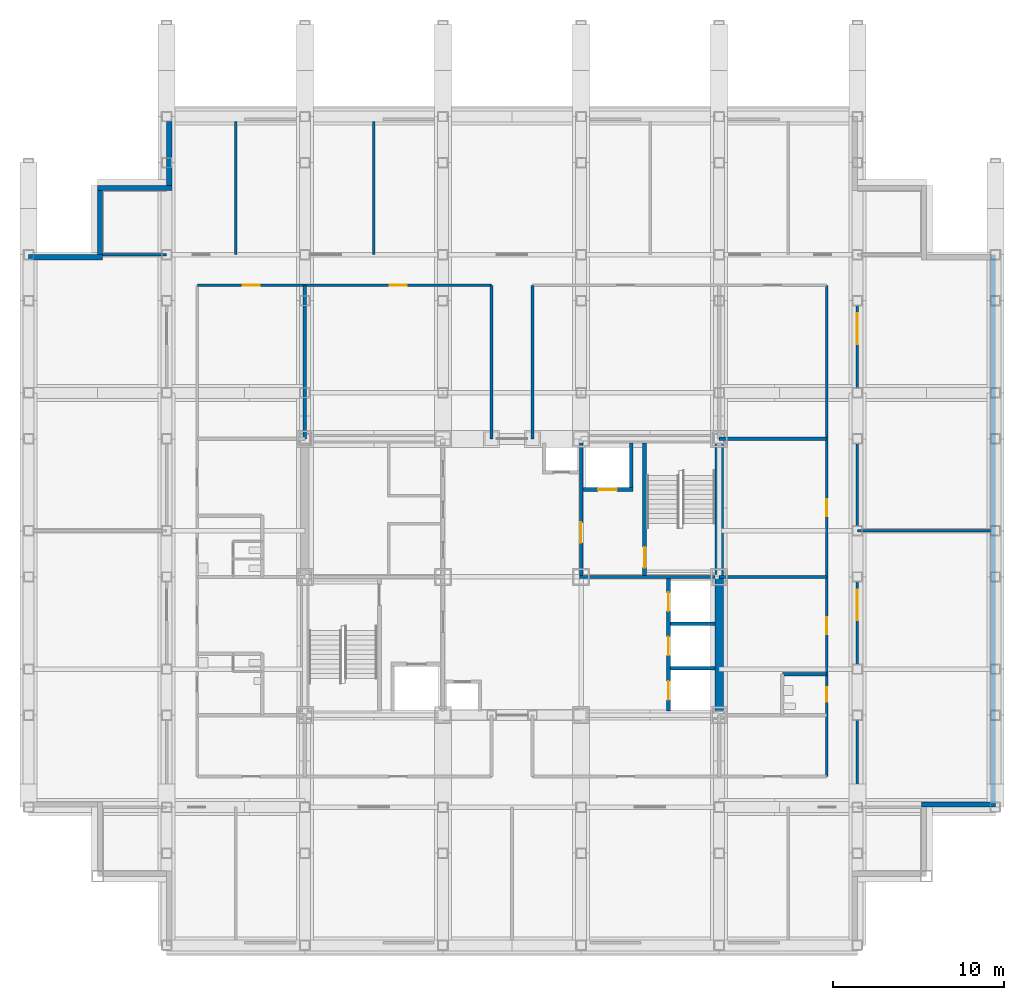
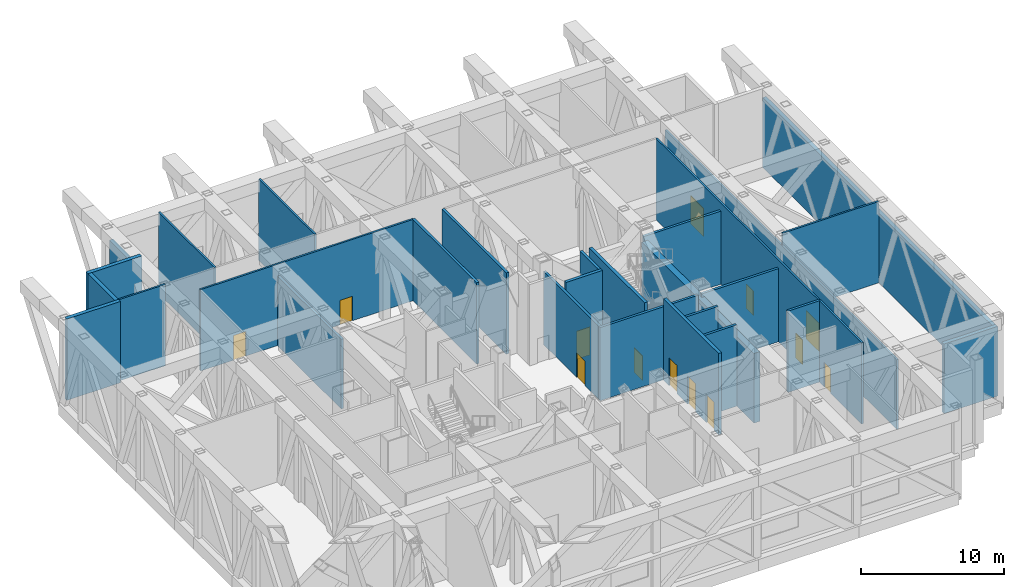
# One storey, part 9 of 13: 28 walls, 13 doors, 13 openings.
"""IFC4 building model written with IfcOpenShell, lengths in metres."""

from ifc_helpers import new_model, si_unit, direction, frame, frame_2d, origin, place, context, subcontext, project, spatial, rectangle, extrude, material, layer, layer_set, type_object, element, fill, save


model = new_model("IFC4")

# Units and contexts
model_context = context("Model", 3, precision=1e-05, world=origin(), true_north=direction((0.0, 1.0)))
body_context = subcontext(model_context, "Body", "Model", "MODEL_VIEW")
ifc_project = project(units=[si_unit("LENGTHUNIT", "METRE"), si_unit("AREAUNIT", "SQUARE_METRE"), si_unit("VOLUMEUNIT", "CUBIC_METRE"), si_unit("PLANEANGLEUNIT", "RADIAN"), si_unit("MASSUNIT", "GRAM", prefix="KILO")], contexts=[model_context])

# Site, building, storey
site_placement = place(None, origin())
site = spatial("IfcSite", under=ifc_project, at=site_placement, CompositionType="ELEMENT")
building_placement = place(site_placement, origin())
building = spatial("IfcBuilding", under=site, at=building_placement, Name="Kopane Lantern Tower", CompositionType="ELEMENT")
storey_placement = place(building_placement, frame((0.0, 0.0, 235.199951171875)))
storey = spatial("IfcBuildingStorey", under=building, at=storey_placement, Name="L61", CompositionType="ELEMENT", Elevation=235.199951171875)

# Wall
ifc_material_1 = material(Name="Gypsum shaft wall EI 120", Category="gypsum")
ifc_layer_1 = layer(ifc_material_1, 0.5)
ifc_layer_set_1 = layer_set([ifc_layer_1], Name="CORE PERIMETER WALL 500 EI 120")
wall_type_1 = type_object("IfcWallType", Name="CORE PERIMETER WALL 500 EI 120", PredefinedType="SOLIDWALL", material=ifc_layer_set_1)
wall_1_placement = place(storey_placement, frame((40.5, 24.550048828125, 0.0), z_axis=(0.0, 0.0, 1.0), x_axis=(0.0, 1.0, 0.0)))
element("IfcWall", 1, at=wall_1_placement, inside=storey, type_object=wall_type_1, Name="Core shaft wall L61 PE", PredefinedType="SOLIDWALL", context=body_context, shape_type="SweptSolid", body=[
    extrude(rectangle(XDim=15.699951171875, YDim=0.5, at=frame_2d((7.85009765625, 0.0))), origin(), (0.0, 0.0, 1.0), 5.949951171875),
])

# Wall, openings, doors
ifc_material_2 = material(Name="Gypsum shaft wall EI 120", Category="gypsum")
ifc_layer_2 = layer(ifc_material_2, 0.25)
ifc_layer_set_2 = layer_set([ifc_layer_2], Name="CORE SHAFT WALL 250 EI 120")
wall_type_2 = type_object("IfcWallType", Name="CORE SHAFT WALL 250 EI 120", PredefinedType="SOLIDWALL", material=ifc_layer_set_2)
wall_2_placement = place(storey_placement, frame((37.52490234375, 24.550048828125, 0.0), z_axis=(0.0, 0.0, 1.0), x_axis=(0.0, 1.0, 0.0)))
wall_2 = element("IfcWall", 2, at=wall_2_placement, inside=storey, type_object=wall_type_2, Name="Core shaft wall L61 XLR", PredefinedType="SOLIDWALL", context=body_context, shape_type="SweptSolid", body=[
    extrude(rectangle(XDim=7.75, YDim=0.25, at=frame_2d((3.875, 0.0))), origin(), (0.0, 0.0, 1.0), 6.949951171875),
])
opening_1_placement = place(wall_2_placement, frame((0.64990234375, 0.0, 0.0)))
opening_1 = element("IfcOpeningElement", 3, at=opening_1_placement, cuts=wall_2, Name="Opening 61.LD-LR1", PredefinedType="OPENING", context=body_context, shape_type="SweptSolid", body=[
    extrude(rectangle(XDim=1.10009765625, YDim=2.39990234375, at=frame_2d((0.550048828125, 1.199951171875))), frame((0.0, 0.135009765625, 0.0), z_axis=(0.0, -1.0, 0.0), x_axis=(1.0, 0.0, 0.0)), (0.0, 0.0, 1.0), 0.27001953125),
])
opening_2_placement = place(wall_2_placement, frame((3.25, 0.0, 0.0)))
opening_2 = element("IfcOpeningElement", 4, at=opening_2_placement, cuts=wall_2, Name="Opening 61.LD-LR2", PredefinedType="OPENING", context=body_context, shape_type="SweptSolid", body=[
    extrude(rectangle(XDim=1.10009765625, YDim=2.39990234375, at=frame_2d((0.550048828125, 1.199951171875))), frame((0.0, 0.135009765625, 0.0), z_axis=(0.0, -1.0, 0.0), x_axis=(1.0, 0.0, 0.0)), (0.0, 0.0, 1.0), 0.27001953125),
])
opening_3_placement = place(wall_2_placement, frame((5.85009765625, 0.0, 0.0)))
opening_3 = element("IfcOpeningElement", 5, at=opening_3_placement, cuts=wall_2, Name="Opening 61.LD-LR3", PredefinedType="OPENING", context=body_context, shape_type="SweptSolid", body=[
    extrude(rectangle(XDim=1.10009765625, YDim=2.39990234375, at=frame_2d((0.550048828125, 1.199951171875))), frame((0.0, 0.135009765625, 0.0), z_axis=(0.0, -1.0, 0.0), x_axis=(1.0, 0.0, 0.0)), (0.0, 0.0, 1.0), 0.27001953125),
])
ifc_material_3 = material(Name="Steel door set", Category="steel")
door_type_1 = type_object("IfcDoorType", Name="LIFT LANDING DOOR 1100x2400 FD60", OperationType="DOUBLE_DOOR_SLIDING", PredefinedType="DOOR", material=ifc_material_3)
door_1_placement = place(opening_1_placement, origin())
door_1 = element("IfcDoor", 6, at=door_1_placement, inside=storey, type_object=door_type_1, Name="Landing door LR1 L61", OperationType="DOUBLE_DOOR_SLIDING", OverallHeight=2.39990234375, OverallWidth=1.10009765625, PredefinedType="DOOR", context=body_context, shape_type="SweptSolid", body=[
    extrude(rectangle(XDim=1.10009765625, YDim=2.39990234375, at=frame_2d((0.550048828125, 1.199951171875))), frame((0.0, 0.02490234375, 0.0), z_axis=(0.0, -1.0, 0.0), x_axis=(1.0, 0.0, 0.0)), (0.0, 0.0, 1.0), 0.050048828125),
])
fill(opening_1, door_1)
door_2_placement = place(opening_2_placement, origin())
door_2 = element("IfcDoor", 7, at=door_2_placement, inside=storey, type_object=door_type_1, Name="Landing door LR2 L61", OperationType="DOUBLE_DOOR_SLIDING", OverallHeight=2.39990234375, OverallWidth=1.10009765625, PredefinedType="DOOR", context=body_context, shape_type="SweptSolid", body=[
    extrude(rectangle(XDim=1.10009765625, YDim=2.39990234375, at=frame_2d((0.550048828125, 1.199951171875))), frame((0.0, 0.02490234375, 0.0), z_axis=(0.0, -1.0, 0.0), x_axis=(1.0, 0.0, 0.0)), (0.0, 0.0, 1.0), 0.050048828125),
])
fill(opening_2, door_2)
door_3_placement = place(opening_3_placement, origin())
door_3 = element("IfcDoor", 8, at=door_3_placement, inside=storey, type_object=door_type_1, Name="Landing door LR3 L61", OperationType="DOUBLE_DOOR_SLIDING", OverallHeight=2.39990234375, OverallWidth=1.10009765625, PredefinedType="DOOR", context=body_context, shape_type="SweptSolid", body=[
    extrude(rectangle(XDim=1.10009765625, YDim=2.39990234375, at=frame_2d((0.550048828125, 1.199951171875))), frame((0.0, 0.02490234375, 0.0), z_axis=(0.0, -1.0, 0.0), x_axis=(1.0, 0.0, 0.0)), (0.0, 0.0, 1.0), 0.050048828125),
])
fill(opening_3, door_3)

# Wall, opening, door
wall_3_placement = place(storey_placement, frame((36.125, 32.5, 0.0), z_axis=(0.0, 0.0, 1.0), x_axis=(0.0, 1.0, 0.0)))
wall_3 = element("IfcWall", 9, at=wall_3_placement, inside=storey, type_object=wall_type_2, Name="Core shaft wall L61 XST2", PredefinedType="SOLIDWALL", context=body_context, shape_type="SweptSolid", body=[
    extrude(rectangle(XDim=7.75, YDim=0.25, at=frame_2d((3.875, 0.0))), origin(), (0.0, 0.0, 1.0), 6.949951171875),
])
opening_4_placement = place(wall_3_placement, frame((0.449951171875, 0.0, 0.0)))
opening_4 = element("IfcOpeningElement", 10, at=opening_4_placement, cuts=wall_3, Name="Opening 61.SD2", PredefinedType="OPENING", context=body_context, shape_type="SweptSolid", body=[
    extrude(rectangle(XDim=1.199951171875, YDim=2.10009765625, at=frame_2d((0.60009765625, 1.050048828125))), frame((0.0, 0.135009765625, 0.0), z_axis=(0.0, -1.0, 0.0), x_axis=(1.0, 0.0, 0.0)), (0.0, 0.0, 1.0), 0.27001953125),
])
ifc_material_4 = material(Name="Steel door set", Category="steel")
door_type_2 = type_object("IfcDoorType", Name="STAIR DOOR 1200x2100 FD60S", OperationType="SINGLE_SWING_LEFT", PredefinedType="DOOR", material=ifc_material_4)
door_4_placement = place(opening_4_placement, origin())
door_4 = element("IfcDoor", 11, at=door_4_placement, inside=storey, type_object=door_type_2, Name="Stair door ST2 L61", OperationType="SINGLE_SWING_RIGHT", OverallHeight=2.10009765625, OverallWidth=1.199951171875, PredefinedType="DOOR", context=body_context, shape_type="SweptSolid", body=[
    extrude(rectangle(XDim=1.199951171875, YDim=2.10009765625, at=frame_2d((0.60009765625, 1.050048828125))), frame((0.0, 0.02490234375, 0.0), z_axis=(0.0, -1.0, 0.0), x_axis=(1.0, 0.0, 0.0)), (0.0, 0.0, 1.0), 0.050048828125),
])
fill(opening_4, door_4)

wall_4_placement = place(storey_placement, frame((32.5, 37.52490234375, 0.0), z_axis=(0.0, 0.0, 1.0), x_axis=(1.0, 0.0, 0.0)))
wall_4 = element("IfcWall", 12, at=wall_4_placement, inside=storey, type_object=wall_type_2, Name="Core shaft wall L61 YLF2", PredefinedType="SOLIDWALL", context=body_context, shape_type="SweptSolid", body=[
    extrude(rectangle(XDim=2.949951171875, YDim=0.25, at=frame_2d((1.47509765625, 0.0))), origin(), (0.0, 0.0, 1.0), 6.949951171875),
])
opening_5_placement = place(wall_4_placement, frame((0.89990234375, 0.0, 0.0)))
opening_5 = element("IfcOpeningElement", 13, at=opening_5_placement, cuts=wall_4, Name="Opening 61.LD-LF2", PredefinedType="OPENING", context=body_context, shape_type="SweptSolid", body=[
    extrude(rectangle(XDim=1.10009765625, YDim=2.39990234375, at=frame_2d((0.550048828125, 1.199951171875))), frame((0.0, 0.135009765625, 0.0), z_axis=(0.0, -1.0, 0.0), x_axis=(1.0, 0.0, 0.0)), (0.0, 0.0, 1.0), 0.27001953125),
])
door_5_placement = place(opening_5_placement, origin())
door_5 = element("IfcDoor", 14, at=door_5_placement, inside=storey, type_object=door_type_1, Name="Landing door LF2 L61", OperationType="DOUBLE_DOOR_SLIDING", OverallHeight=2.39990234375, OverallWidth=1.10009765625, PredefinedType="DOOR", context=body_context, shape_type="SweptSolid", body=[
    extrude(rectangle(XDim=1.10009765625, YDim=2.39990234375, at=frame_2d((0.550048828125, 1.199951171875))), frame((0.0, 0.02490234375, 0.0), z_axis=(0.0, -1.0, 0.0), x_axis=(1.0, 0.0, 0.0)), (0.0, 0.0, 1.0), 0.050048828125),
])
fill(opening_5, door_5)

# Wall, openings, doors
ifc_material_5 = material(Name="Gypsum board on steel studs", Category="steel")
ifc_layer_3 = layer(ifc_material_5, 0.14990234375)
ifc_layer_set_3 = layer_set([ifc_layer_3], Name="CORRIDOR WALL 150 EI 60")
wall_type_3 = type_object("IfcWallType", Name="CORRIDOR WALL 150 EI 60", PredefinedType="PARTITIONING", material=ifc_layer_set_3)
wall_5_placement = place(storey_placement, frame((48.60009765625, 18.89990234375, 0.0), z_axis=(0.0, 0.0, 1.0), x_axis=(0.0, 1.0, 0.0)))
wall_5 = element("IfcWall", 15, at=wall_5_placement, inside=storey, type_object=wall_type_3, Name="Corridor Wall 150 Ei 60 L61", PredefinedType="PARTITIONING", context=body_context, shape_type="SweptSolid", body=[
    extrude(rectangle(XDim=32.400146484375, YDim=0.14990234375, at=frame_2d((16.2001953125, 0.0))), origin(), (0.0, 0.0, 1.0), 5.949951171875),
])
opening_6_placement = place(wall_5_placement, frame((10.949951171875, 0.0, 0.0)))
opening_6 = element("IfcOpeningElement", 16, at=opening_6_placement, cuts=wall_5, Name="Opening L61-023", PredefinedType="OPENING", context=body_context, shape_type="SweptSolid", body=[
    extrude(rectangle(XDim=1.800048828125, YDim=2.39990234375, at=frame_2d((0.89990234375, 1.199951171875))), frame((0.0, 0.0849609375, 0.0), z_axis=(0.0, -1.0, 0.0), x_axis=(1.0, 0.0, 0.0)), (0.0, 0.0, 1.0), 0.169921875),
])
opening_7_placement = place(wall_5_placement, frame((27.14990234375, 0.0, 0.0)))
opening_7 = element("IfcOpeningElement", 17, at=opening_7_placement, cuts=wall_5, Name="Opening L61-024", PredefinedType="OPENING", context=body_context, shape_type="SweptSolid", body=[
    extrude(rectangle(XDim=1.800048828125, YDim=2.39990234375, at=frame_2d((0.89990234375, 1.199951171875))), frame((0.0, 0.0849609375, 0.0), z_axis=(0.0, -1.0, 0.0), x_axis=(1.0, 0.0, 0.0)), (0.0, 0.0, 1.0), 0.169921875),
])
ifc_material_6 = material(Name="Steel door set", Category="steel")
door_type_3 = type_object("IfcDoorType", Name="DOOR D8 1800x2400 FD120", OperationType="SINGLE_SWING_LEFT", PredefinedType="DOOR", material=ifc_material_6)
door_6_placement = place(opening_6_placement, origin())
door_6 = element("IfcDoor", 18, at=door_6_placement, inside=storey, type_object=door_type_3, Name="Door L61-023", OperationType="DOUBLE_DOOR_SINGLE_SWING", OverallHeight=2.39990234375, OverallWidth=1.800048828125, PredefinedType="DOOR", context=body_context, shape_type="SweptSolid", body=[
    extrude(rectangle(XDim=1.800048828125, YDim=2.39990234375, at=frame_2d((0.89990234375, 1.199951171875))), frame((0.0, 0.02490234375, 0.0), z_axis=(0.0, -1.0, 0.0), x_axis=(1.0, 0.0, 0.0)), (0.0, 0.0, 1.0), 0.050048828125),
])
fill(opening_6, door_6)
door_7_placement = place(opening_7_placement, origin())
door_7 = element("IfcDoor", 19, at=door_7_placement, inside=storey, type_object=door_type_3, Name="Door L61-024", OperationType="DOUBLE_DOOR_SINGLE_SWING", OverallHeight=2.39990234375, OverallWidth=1.800048828125, PredefinedType="DOOR", context=body_context, shape_type="SweptSolid", body=[
    extrude(rectangle(XDim=1.800048828125, YDim=2.39990234375, at=frame_2d((0.89990234375, 1.199951171875))), frame((0.0, 0.02490234375, 0.0), z_axis=(0.0, -1.0, 0.0), x_axis=(1.0, 0.0, 0.0)), (0.0, 0.0, 1.0), 0.050048828125),
])
fill(opening_7, door_7)

wall_6_placement = place(storey_placement, frame((46.800048828125, 20.699951171875, 0.0), z_axis=(0.0, 0.0, 1.0), x_axis=(0.0, 1.0, 0.0)))
wall_6 = element("IfcWall", 20, at=wall_6_placement, inside=storey, type_object=wall_type_3, Name="Corridor Wall 150 Ei 60 L61", PredefinedType="PARTITIONING", context=body_context, shape_type="SweptSolid", body=[
    extrude(rectangle(XDim=28.800048828125, YDim=0.14990234375, at=frame_2d((14.39990234375, 0.0))), origin(), (0.0, 0.0, 1.0), 6.949951171875),
])
opening_8_placement = place(wall_6_placement, frame((4.375, 0.0, 0.0)))
opening_8 = element("IfcOpeningElement", 21, at=opening_8_placement, cuts=wall_6, Name="Opening L61-005", PredefinedType="OPENING", context=body_context, shape_type="SweptSolid", body=[
    extrude(rectangle(XDim=0.85009765625, YDim=2.10009765625, at=frame_2d((0.425048828125, 1.050048828125))), frame((0.0, 0.0849609375, 0.0), z_axis=(0.0, -1.0, 0.0), x_axis=(1.0, 0.0, 0.0)), (0.0, 0.0, 1.0), 0.169921875),
])
opening_9_placement = place(wall_6_placement, frame((8.35009765625, 0.0, 0.0)))
opening_9 = element("IfcOpeningElement", 22, at=opening_9_placement, cuts=wall_6, Name="Opening L61-006", PredefinedType="OPENING", context=body_context, shape_type="SweptSolid", body=[
    extrude(rectangle(XDim=1.0, YDim=2.10009765625, at=frame_2d((0.5, 1.050048828125))), frame((0.0, 0.0849609375, 0.0), z_axis=(0.0, -1.0, 0.0), x_axis=(1.0, 0.0, 0.0)), (0.0, 0.0, 1.0), 0.169921875),
])
opening_10_placement = place(wall_6_placement, frame((15.25, 0.0, 0.0)))
opening_10 = element("IfcOpeningElement", 23, at=opening_10_placement, cuts=wall_6, Name="Opening L61-007", PredefinedType="OPENING", context=body_context, shape_type="SweptSolid", body=[
    extrude(rectangle(XDim=1.0, YDim=2.10009765625, at=frame_2d((0.5, 1.050048828125))), frame((0.0, 0.0849609375, 0.0), z_axis=(0.0, -1.0, 0.0), x_axis=(1.0, 0.0, 0.0)), (0.0, 0.0, 1.0), 0.169921875),
])
ifc_material_7 = material(Name="Timber door set", Category="wood")
door_type_4 = type_object("IfcDoorType", Name="DOOR D4 850x2100", OperationType="SINGLE_SWING_LEFT", PredefinedType="DOOR", material=ifc_material_7)
door_8_placement = place(opening_8_placement, origin())
door_8 = element("IfcDoor", 24, at=door_8_placement, inside=storey, type_object=door_type_4, Name="Door L61-005", OperationType="SINGLE_SWING_LEFT", OverallHeight=2.10009765625, OverallWidth=0.85009765625, PredefinedType="DOOR", context=body_context, shape_type="SweptSolid", body=[
    extrude(rectangle(XDim=0.85009765625, YDim=2.10009765625, at=frame_2d((0.425048828125, 1.050048828125))), frame((0.0, 0.02490234375, 0.0), z_axis=(0.0, -1.0, 0.0), x_axis=(1.0, 0.0, 0.0)), (0.0, 0.0, 1.0), 0.050048828125),
])
fill(opening_8, door_8)
ifc_material_8 = material(Name="Steel door set", Category="steel")
door_type_5 = type_object("IfcDoorType", Name="DOOR D5 1000x2100 FD60", OperationType="SINGLE_SWING_LEFT", PredefinedType="DOOR", material=ifc_material_8)
door_9_placement = place(opening_9_placement, origin())
door_9 = element("IfcDoor", 25, at=door_9_placement, inside=storey, type_object=door_type_5, Name="Door L61-006", OperationType="SINGLE_SWING_RIGHT", OverallHeight=2.10009765625, OverallWidth=1.0, PredefinedType="DOOR", context=body_context, shape_type="SweptSolid", body=[
    extrude(rectangle(XDim=1.0, YDim=2.10009765625, at=frame_2d((0.5, 1.050048828125))), frame((0.0, 0.02490234375, 0.0), z_axis=(0.0, -1.0, 0.0), x_axis=(1.0, 0.0, 0.0)), (0.0, 0.0, 1.0), 0.050048828125),
])
fill(opening_9, door_9)
door_10_placement = place(opening_10_placement, origin())
door_10 = element("IfcDoor", 26, at=door_10_placement, inside=storey, type_object=door_type_5, Name="Door L61-007", OperationType="SINGLE_SWING_LEFT", OverallHeight=2.10009765625, OverallWidth=1.0, PredefinedType="DOOR", context=body_context, shape_type="SweptSolid", body=[
    extrude(rectangle(XDim=1.0, YDim=2.10009765625, at=frame_2d((0.5, 1.050048828125))), frame((0.0, 0.02490234375, 0.0), z_axis=(0.0, -1.0, 0.0), x_axis=(1.0, 0.0, 0.0)), (0.0, 0.0, 1.0), 0.050048828125),
])
fill(opening_10, door_10)

wall_7_placement = place(storey_placement, frame((27.139892578125, 49.5, 0.0), z_axis=(0.0, 0.0, 1.0), x_axis=(-1.0, 0.0, 0.0)))
wall_7 = element("IfcWall", 27, at=wall_7_placement, inside=storey, type_object=wall_type_3, Name="Corridor Wall 150 Ei 60 L61", PredefinedType="PARTITIONING", context=body_context, shape_type="SweptSolid", body=[
    extrude(rectangle(XDim=17.239990234375, YDim=0.14990234375, at=frame_2d((8.6201171875, 0.0))), origin(), (0.0, 0.0, 1.0), 6.949951171875),
])
opening_11_placement = place(wall_7_placement, frame((13.590087890625, 0.0, 0.0)))
opening_11 = element("IfcOpeningElement", 28, at=opening_11_placement, cuts=wall_7, Name="Opening L61-012", PredefinedType="OPENING", context=body_context, shape_type="SweptSolid", body=[
    extrude(rectangle(XDim=1.0, YDim=2.10009765625, at=frame_2d((0.5, 1.050048828125))), frame((0.0, 0.0849609375, 0.0), z_axis=(0.0, -1.0, 0.0), x_axis=(1.0, 0.0, 0.0)), (0.0, 0.0, 1.0), 0.169921875),
])
opening_12_placement = place(wall_7_placement, frame((4.965087890625, 0.0, 0.0)))
opening_12 = element("IfcOpeningElement", 29, at=opening_12_placement, cuts=wall_7, Name="Opening L61-013", PredefinedType="OPENING", context=body_context, shape_type="SweptSolid", body=[
    extrude(rectangle(XDim=1.0, YDim=2.10009765625, at=frame_2d((0.5, 1.050048828125))), frame((0.0, 0.0849609375, 0.0), z_axis=(0.0, -1.0, 0.0), x_axis=(1.0, 0.0, 0.0)), (0.0, 0.0, 1.0), 0.169921875),
])
door_11_placement = place(opening_11_placement, origin())
door_11 = element("IfcDoor", 30, at=door_11_placement, inside=storey, type_object=door_type_5, Name="Door L61-012", OperationType="SINGLE_SWING_RIGHT", OverallHeight=2.10009765625, OverallWidth=1.0, PredefinedType="DOOR", context=body_context, shape_type="SweptSolid", body=[
    extrude(rectangle(XDim=1.0, YDim=2.10009765625, at=frame_2d((0.5, 1.050048828125))), frame((0.0, 0.02490234375, 0.0), z_axis=(0.0, -1.0, 0.0), x_axis=(1.0, 0.0, 0.0)), (0.0, 0.0, 1.0), 0.050048828125),
])
fill(opening_11, door_11)
door_12_placement = place(opening_12_placement, origin())
door_12 = element("IfcDoor", 31, at=door_12_placement, inside=storey, type_object=door_type_5, Name="Door L61-013", OperationType="SINGLE_SWING_LEFT", OverallHeight=2.10009765625, OverallWidth=1.0, PredefinedType="DOOR", context=body_context, shape_type="SweptSolid", body=[
    extrude(rectangle(XDim=1.0, YDim=2.10009765625, at=frame_2d((0.5, 1.050048828125))), frame((0.0, 0.02490234375, 0.0), z_axis=(0.0, -1.0, 0.0), x_axis=(1.0, 0.0, 0.0)), (0.0, 0.0, 1.0), 0.050048828125),
])
fill(opening_12, door_12)

# Walls
ifc_material_9 = material(Name="Gypsum board on steel studs", Category="steel")
ifc_layer_4 = layer(ifc_material_9, 0.14990234375)
ifc_layer_set_4 = layer_set([ifc_layer_4], Name="DEMISING WALL 150 EI 60")
wall_type_4 = type_object("IfcWallType", Name="DEMISING WALL 150 EI 60", PredefinedType="PARTITIONING", material=ifc_layer_set_4)
wall_8_placement = place(storey_placement, frame((20.25, 51.300048828125, 0.0), z_axis=(0.0, 0.0, 1.0), x_axis=(0.0, 1.0, 0.0)))
element("IfcWall", 32, at=wall_8_placement, inside=storey, type_object=wall_type_4, Name="Demising Wall 150 Ei 60 L61", PredefinedType="PARTITIONING", context=body_context, shape_type="SweptSolid", body=[
    extrude(rectangle(XDim=7.800048828125, YDim=0.14990234375, at=frame_2d((3.89990234375, 0.0))), origin(), (0.0, 0.0, 1.0), 6.949951171875),
])
wall_9_placement = place(storey_placement, frame((48.60009765625, 35.10009765625, 0.0), z_axis=(0.0, 0.0, 1.0), x_axis=(1.0, 0.0, 0.0)))
element("IfcWall", 33, at=wall_9_placement, inside=storey, type_object=wall_type_4, Name="Demising Wall 150 Ei 60 L61", PredefinedType="PARTITIONING", context=body_context, shape_type="SweptSolid", body=[
    extrude(rectangle(XDim=7.7998046875, YDim=0.14990234375, at=frame_2d((3.89990234375, 0.0))), origin(), (0.0, 0.0, 1.0), 6.949951171875),
])
wall_10_placement = place(storey_placement, frame((4.35009765625, 51.300048828125, 0.0), z_axis=(0.0, 0.0, 1.0), x_axis=(1.0, 0.0, 0.0)))
element("IfcWall", 34, at=wall_10_placement, inside=storey, type_object=wall_type_4, Name="Demising Wall 150 Ei 60 L61", PredefinedType="PARTITIONING", context=body_context, shape_type="SweptSolid", body=[
    extrude(rectangle(XDim=3.75, YDim=0.14990234375, at=frame_2d((1.875, 0.0))), origin(), (0.0, 0.0, 1.0), 6.949951171875),
])
wall_11_placement = place(storey_placement, frame((12.14990234375, 51.300048828125, 0.0), z_axis=(0.0, 0.0, 1.0), x_axis=(0.0, 1.0, 0.0)))
element("IfcWall", 35, at=wall_11_placement, inside=storey, type_object=wall_type_4, Name="Demising Wall 150 Ei 60 L61", PredefinedType="PARTITIONING", context=body_context, shape_type="SweptSolid", body=[
    extrude(rectangle(XDim=7.800048828125, YDim=0.14990234375, at=frame_2d((3.89990234375, 0.0))), origin(), (0.0, 0.0, 1.0), 6.949951171875),
])
ifc_material_10 = material(Name="Terracotta rainscreen on light steel framing", Category="masonry")
ifc_layer_5 = layer(ifc_material_10, 0.300048828125)
ifc_layer_set_5 = layer_set([ifc_layer_5], Name="EXTERNAL WALL EW1 300 TERRACOTTA")
wall_type_5 = type_object("IfcWallType", Name="EXTERNAL WALL EW1 300 TERRACOTTA", PredefinedType="SOLIDWALL", material=ifc_layer_set_5)
wall_12_placement = place(storey_placement, frame((52.35009765625, 19.050048828125, 0.0), z_axis=(0.0, 0.0, 1.0), x_axis=(1.0, 0.0, 0.0)))
element("IfcWall", 36, at=wall_12_placement, inside=storey, type_object=wall_type_5, Name="External wall S L61", PredefinedType="SOLIDWALL", context=body_context, shape_type="SweptSolid", body=[
    extrude(rectangle(XDim=4.349853515625, YDim=0.300048828125, at=frame_2d((2.1748046875, 0.0))), origin(), (0.0, 0.0, 1.0), 5.949951171875),
])
wall_13_placement = place(storey_placement, frame((56.550048828125, 19.199951171875, 0.0), z_axis=(0.0, 0.0, 1.0), x_axis=(0.0, 1.0, 0.0)))
element("IfcWall", 37, at=wall_13_placement, inside=storey, type_object=wall_type_5, Name="External wall E L61", PredefinedType="SOLIDWALL", context=body_context, shape_type="SweptSolid", body=[
    extrude(rectangle(XDim=32.10009765625, YDim=0.300048828125, at=frame_2d((16.050048828125, 0.0))), origin(), (0.0, 0.0, 1.0), 5.949951171875),
])
wall_14_placement = place(storey_placement, frame((8.25, 59.10009765625, 0.0), z_axis=(0.0, 0.0, 1.0), x_axis=(0.0, -1.0, 0.0)))
element("IfcWall", 38, at=wall_14_placement, inside=storey, type_object=wall_type_5, Name="External wall W L61", PredefinedType="SOLIDWALL", context=body_context, shape_type="SweptSolid", body=[
    extrude(rectangle(XDim=3.75, YDim=0.300048828125, at=frame_2d((1.875, 0.0))), origin(), (0.0, 0.0, 1.0), 5.949951171875),
])
wall_15_placement = place(storey_placement, frame((8.39990234375, 55.199951171875, 0.0), z_axis=(0.0, 0.0, 1.0), x_axis=(-1.0, 0.0, 0.0)))
element("IfcWall", 39, at=wall_15_placement, inside=storey, type_object=wall_type_5, Name="External wall N L61", PredefinedType="SOLIDWALL", context=body_context, shape_type="SweptSolid", body=[
    extrude(rectangle(XDim=4.349853515625, YDim=0.300048828125, at=frame_2d((2.1748046875, 0.0))), origin(), (0.0, 0.0, 1.0), 6.949951171875),
])
wall_16_placement = place(storey_placement, frame((4.199951171875, 55.050048828125, 0.0), z_axis=(0.0, 0.0, 1.0), x_axis=(0.0, -1.0, 0.0)))
element("IfcWall", 40, at=wall_16_placement, inside=storey, type_object=wall_type_5, Name="External wall W L61", PredefinedType="SOLIDWALL", context=body_context, shape_type="SweptSolid", body=[
    extrude(rectangle(XDim=3.75, YDim=0.300048828125, at=frame_2d((1.875, 0.0))), origin(), (0.0, 0.0, 1.0), 6.949951171875),
])
wall_17_placement = place(storey_placement, frame((4.35009765625, 51.14990234375, 0.0), z_axis=(0.0, 0.0, 1.0), x_axis=(-1.0, 0.0, 0.0)))
element("IfcWall", 41, at=wall_17_placement, inside=storey, type_object=wall_type_5, Name="External wall N L61", PredefinedType="SOLIDWALL", context=body_context, shape_type="SweptSolid", body=[
    extrude(rectangle(XDim=4.35009765625, YDim=0.300048828125, at=frame_2d((2.175048828125, 0.0))), origin(), (0.0, 0.0, 1.0), 6.949951171875),
])
ifc_material_11 = material(Name="Concrete masonry", Category="masonry")
ifc_layer_6 = layer(ifc_material_11, 0.199951171875)
ifc_layer_set_6 = layer_set([ifc_layer_6], Name="PLANT ROOM WALL 200 EI 120")
wall_type_6 = type_object("IfcWallType", Name="PLANT ROOM WALL 200 EI 120", PredefinedType="SOLIDWALL", material=ifc_layer_set_6)
wall_18_placement = place(storey_placement, frame((40.5, 32.39990234375, 0.0), z_axis=(0.0, 0.0, 1.0), x_axis=(1.0, 0.0, 0.0)))
element("IfcWall", 42, at=wall_18_placement, inside=storey, type_object=wall_type_6, Name="Plant Room Wall 200 Ei 120 L61", PredefinedType="SOLIDWALL", context=body_context, shape_type="SweptSolid", body=[
    extrude(rectangle(XDim=6.300048828125, YDim=0.199951171875, at=frame_2d((3.14990234375, 0.0))), origin(), (0.0, 0.0, 1.0), 6.25),
])
wall_19_placement = place(storey_placement, frame((46.800048828125, 26.699951171875, 0.0), z_axis=(0.0, 0.0, 1.0), x_axis=(-1.0, 0.0, 0.0)))
element("IfcWall", 43, at=wall_19_placement, inside=storey, type_object=wall_type_6, Name="Plant Room Wall 200 Ei 120 L61", PredefinedType="SOLIDWALL", context=body_context, shape_type="SweptSolid", body=[
    extrude(rectangle(XDim=2.60009765625, YDim=0.199951171875, at=frame_2d((1.300048828125, 0.0))), origin(), (0.0, 0.0, 1.0), 6.949951171875),
])
wall_20_placement = place(storey_placement, frame((16.199951171875, 40.5, 0.0), z_axis=(0.0, 0.0, 1.0), x_axis=(0.0, 1.0, 0.0)))
element("IfcWall", 44, at=wall_20_placement, inside=storey, type_object=wall_type_6, Name="Plant Room Wall 200 Ei 120 L61", PredefinedType="SOLIDWALL", context=body_context, shape_type="SweptSolid", body=[
    extrude(rectangle(XDim=9.0, YDim=0.199951171875, at=frame_2d((4.5, 0.0))), origin(), (0.0, 0.0, 1.0), 5.949951171875),
])
for number, where, z_axis, x_axis, name in (
    (45, (27.14990234375, 40.5, 0.0), (0.0, 0.0, 1.0), (0.0, 1.0, 0.0), "Plant Room Wall 200 Ei 120 L61"),
    (46, (29.550048828125, 40.5, 0.0), (0.0, 0.0, 1.0), (0.0, 1.0, 0.0), "Plant Room Wall 200 Ei 120 L61"),
):
    element("IfcWall", number, at=place(storey_placement, frame(where, z_axis=z_axis, x_axis=x_axis)), inside=storey, type_object=wall_type_6, Name=name, PredefinedType="SOLIDWALL", context=body_context, shape_type="SweptSolid", body=[
        extrude(rectangle(XDim=9.0, YDim=0.199951171875, at=frame_2d((4.5, 0.0))), origin(), (0.0, 0.0, 1.0), 6.949951171875),
    ])
wall_21_placement = place(storey_placement, frame((40.5, 40.5, 0.0), z_axis=(0.0, 0.0, 1.0), x_axis=(1.0, 0.0, 0.0)))
element("IfcWall", 47, at=wall_21_placement, inside=storey, type_object=wall_type_6, Name="Plant Room Wall 200 Ei 120 L61", PredefinedType="SOLIDWALL", context=body_context, shape_type="SweptSolid", body=[
    extrude(rectangle(XDim=6.300048828125, YDim=0.199951171875, at=frame_2d((3.14990234375, 0.0))), origin(), (0.0, 0.0, 1.0), 6.25),
])
ifc_material_12 = material(Name="Gypsum shaft wall EI 120", Category="gypsum")
ifc_layer_7 = layer(ifc_material_12, 0.199951171875)
ifc_layer_set_7 = layer_set([ifc_layer_7], Name="SHAFT WALL 200 EI 120")
wall_type_7 = type_object("IfcWallType", Name="SHAFT WALL 200 EI 120", PredefinedType="SOLIDWALL", material=ifc_layer_set_7)
wall_22_placement = place(storey_placement, frame((32.300048828125, 32.39990234375, 0.0), z_axis=(0.0, 0.0, 1.0), x_axis=(1.0, 0.0, 0.0)))
element("IfcWall", 48, at=wall_22_placement, inside=storey, type_object=wall_type_7, Name="Core shaft wall L61 Y324E", PredefinedType="SOLIDWALL", context=body_context, shape_type="SweptSolid", body=[
    extrude(rectangle(XDim=7.949951171875, YDim=0.199951171875, at=frame_2d((3.97509765625, 0.0))), origin(), (0.0, 0.0, 1.0), 6.25),
])

# Wall, opening, door
wall_23_placement = place(storey_placement, frame((32.39990234375, 32.5, 0.0), z_axis=(0.0, 0.0, 1.0), x_axis=(0.0, 1.0, 0.0)))
wall_23 = element("IfcWall", 49, at=wall_23_placement, inside=storey, type_object=wall_type_7, Name="Core shaft wall L61 X324", PredefinedType="SOLIDWALL", context=body_context, shape_type="SweptSolid", body=[
    extrude(rectangle(XDim=7.75, YDim=0.199951171875, at=frame_2d((3.875, 0.0))), origin(), (0.0, 0.0, 1.0), 6.25),
])
opening_13_placement = place(wall_23_placement, frame((1.89990234375, 0.0, 0.0)))
opening_13 = element("IfcOpeningElement", 50, at=opening_13_placement, cuts=wall_23, Name="Opening 61.FL2", PredefinedType="OPENING", context=body_context, shape_type="SweptSolid", body=[
    extrude(rectangle(XDim=1.199951171875, YDim=2.10009765625, at=frame_2d((0.60009765625, 1.050048828125))), frame((0.0, 0.10986328125, 0.0), z_axis=(0.0, -1.0, 0.0), x_axis=(1.0, 0.0, 0.0)), (0.0, 0.0, 1.0), 0.219970703125),
])
ifc_material_13 = material(Name="Steel door set", Category="steel")
door_type_6 = type_object("IfcDoorType", Name="FIREFIGHTING LOBBY DOOR 1200x2100 FD60S", OperationType="SINGLE_SWING_RIGHT", PredefinedType="DOOR", material=ifc_material_13)
door_13_placement = place(opening_13_placement, origin())
door_13 = element("IfcDoor", 51, at=door_13_placement, inside=storey, type_object=door_type_6, Name="Firefighting lobby door FL2 L61", OperationType="SINGLE_SWING_LEFT", OverallHeight=2.10009765625, OverallWidth=1.199951171875, PredefinedType="DOOR", context=body_context, shape_type="SweptSolid", body=[
    extrude(rectangle(XDim=1.199951171875, YDim=2.10009765625, at=frame_2d((0.60009765625, 1.050048828125))), frame((0.0, 0.02490234375, 0.0), z_axis=(0.0, -1.0, 0.0), x_axis=(1.0, 0.0, 0.0)), (0.0, 0.0, 1.0), 0.050048828125),
])
fill(opening_13, door_13)

# Walls
for number, where, z_axis, x_axis, name in (
    (52, (37.64990234375, 27.050048828125, 0.0), (0.0, 0.0, 1.0), (1.0, 0.0, 0.0), "Core shaft wall L61 YLR12"),
    (53, (37.64990234375, 29.64990234375, 0.0), (0.0, 0.0, 1.0), (1.0, 0.0, 0.0), "Core shaft wall L61 YLR23"),
    (54, (35.35009765625, 37.64990234375, 0.0), (0.0, 0.0, 1.0), (0.0, 1.0, 0.0), "Core shaft wall L61 XLF2"),
):
    element("IfcWall", number, at=place(storey_placement, frame(where, z_axis=z_axis, x_axis=x_axis)), inside=storey, type_object=wall_type_7, Name=name, PredefinedType="SOLIDWALL", context=body_context, shape_type="SweptSolid", body=[
        extrude(rectangle(XDim=2.60009765625, YDim=0.199951171875, at=frame_2d((1.300048828125, 0.0))), origin(), (0.0, 0.0, 1.0), 6.949951171875),
    ])

save(model, "model.ifc")
